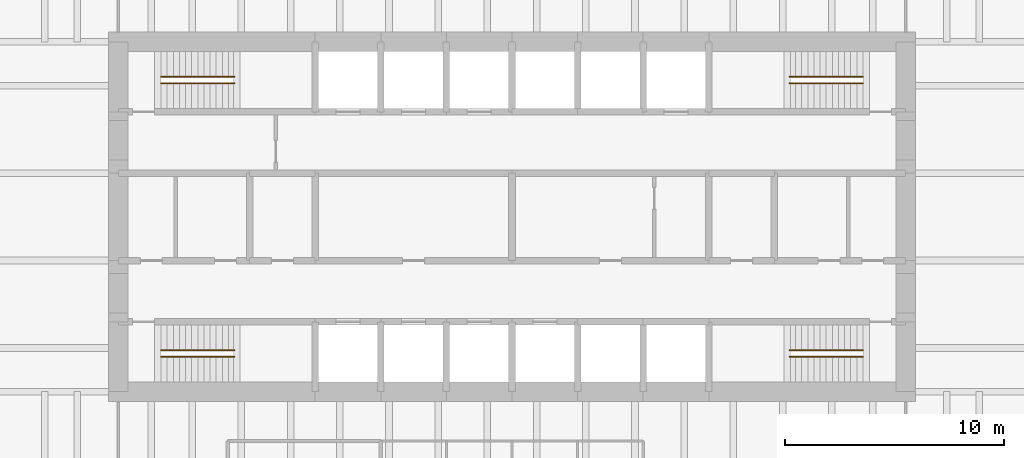
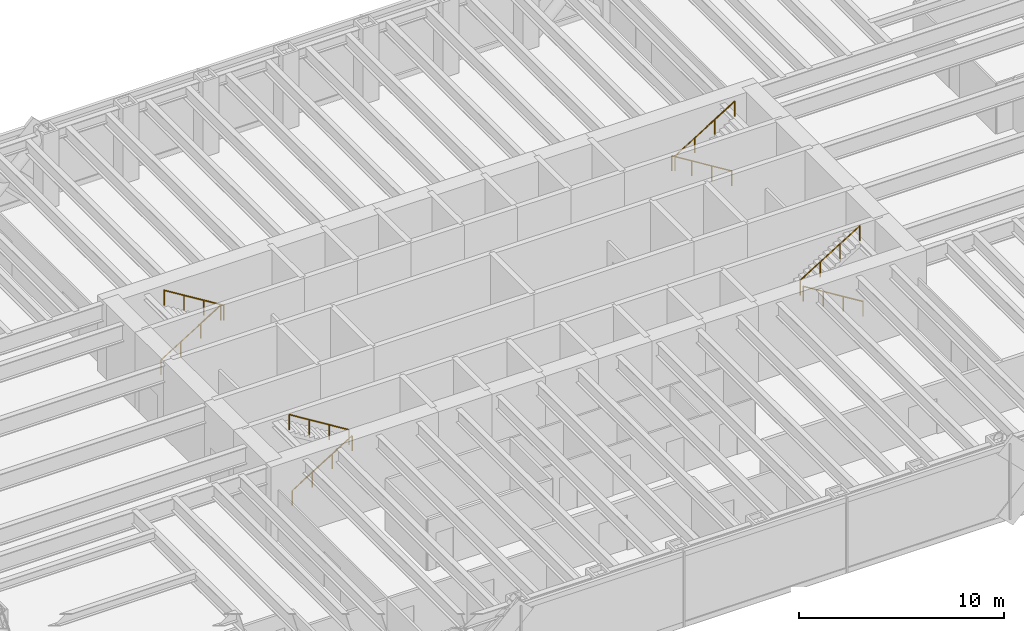
# One storey, part 13 of 13: 8 railings.
"""IFC4 building model written with IfcOpenShell, lengths in metres."""

from ifc_helpers import new_model, si_unit, direction, frame, origin, origin_2d, place, context, subcontext, project, spatial, circle, extrude, material, type_object, element, save


model = new_model("IFC4")

# Units and contexts
model_context = context("Model", 3, precision=1e-05, world=origin(), true_north=direction((0.0, 1.0)))
body_context = subcontext(model_context, "Body", "Model", "MODEL_VIEW")
ifc_project = project(units=[si_unit("LENGTHUNIT", "METRE"), si_unit("AREAUNIT", "SQUARE_METRE"), si_unit("VOLUMEUNIT", "CUBIC_METRE"), si_unit("PLANEANGLEUNIT", "RADIAN"), si_unit("MASSUNIT", "GRAM", prefix="KILO")], contexts=[model_context])

# Site, building, storey
site_placement = place(None, origin())
site = spatial("IfcSite", under=ifc_project, at=site_placement, CompositionType="ELEMENT")
building_placement = place(site_placement, origin())
building = spatial("IfcBuilding", under=site, at=building_placement, Name="Rheinbord Bourse Tower", CompositionType="ELEMENT")
storey_placement = place(building_placement, frame((0.0, 0.0, 45.5)))
storey = spatial("IfcBuildingStorey", under=building, at=storey_placement, Name="L09", CompositionType="ELEMENT", Elevation=45.5)

# Railings
ifc_material = material(Name="Steel handrail", Category="steel")
railing_type = type_object("IfcRailingType", Name="HANDRAIL 900", PredefinedType="HANDRAIL", material=ifc_material)
railing_1_placement = place(storey_placement, frame((19.949951171875, 17.60009765625, 0.173095703125)))
element("IfcRailing", 1, at=railing_1_placement, inside=storey, type_object=railing_type, Name="Handrail", PredefinedType="HANDRAIL", context=body_context, shape_type="SweptSolid", body=[
    extrude(circle(Radius=0.02392578125, at=origin_2d()), frame((0.0, 0.0, 0.8759765625), z_axis=(0.850623216509, 0.0, 0.525775754039), x_axis=(0.0, 1.0, 0.0)), (0.0, 0.0, 1.0), 3.9501953125),
    extrude(circle(Radius=0.02099609375, at=origin_2d()), origin(), (0.0, 0.0, 1.0), 0.851806640625),
    extrude(circle(Radius=0.02099609375, at=origin_2d()), frame((1.1201171875, 0.0, 0.6923828125)), (0.0, 0.0, 1.0), 0.851806640625),
    extrude(circle(Radius=0.02099609375, at=origin_2d()), frame((2.239990234375, 0.0, 1.384521484375)), (0.0, 0.0, 1.0), 0.851806640625),
    extrude(circle(Radius=0.02099609375, at=origin_2d()), frame((3.360107421875, 0.0, 2.076904296875)), (0.0, 0.0, 1.0), 0.851806640625),
])
railing_2_placement = place(storey_placement, frame((23.31005859375, 17.89990234375, 2.423095703125)))
element("IfcRailing", 2, at=railing_2_placement, inside=storey, type_object=railing_type, Name="Handrail", PredefinedType="HANDRAIL", context=body_context, shape_type="SweptSolid", body=[
    extrude(circle(Radius=0.02392578125, at=origin_2d()), frame((0.0, 0.0, 0.8759765625), z_axis=(-0.850623216509, 0.0, 0.525775754039), x_axis=(0.0, -1.0, 0.0)), (0.0, 0.0, 1.0), 3.9501953125),
    extrude(circle(Radius=0.02099609375, at=origin_2d()), origin(), (0.0, 0.0, 1.0), 0.851806640625),
    extrude(circle(Radius=0.02099609375, at=origin_2d()), frame((-1.1201171875, 0.0, 0.6923828125)), (0.0, 0.0, 1.0), 0.851806640625),
    extrude(circle(Radius=0.02099609375, at=origin_2d()), frame((-2.239990234375, 0.0, 1.384521484375)), (0.0, 0.0, 1.0), 0.851806640625),
    extrude(circle(Radius=0.02099609375, at=origin_2d()), frame((-3.360107421875, 0.0, 2.076904296875)), (0.0, 0.0, 1.0), 0.851806640625),
])
railing_3_placement = place(storey_placement, frame((19.949951171875, 30.39990234375, 0.173095703125)))
element("IfcRailing", 3, at=railing_3_placement, inside=storey, type_object=railing_type, Name="Handrail", PredefinedType="HANDRAIL", context=body_context, shape_type="SweptSolid", body=[
    extrude(circle(Radius=0.02392578125, at=origin_2d()), frame((0.0, 0.0, 0.8759765625), z_axis=(0.850623216509, 0.0, 0.525775754039), x_axis=(0.0, 1.0, 0.0)), (0.0, 0.0, 1.0), 3.9501953125),
    extrude(circle(Radius=0.02099609375, at=origin_2d()), origin(), (0.0, 0.0, 1.0), 0.851806640625),
    extrude(circle(Radius=0.02099609375, at=origin_2d()), frame((1.1201171875, 0.0, 0.6923828125)), (0.0, 0.0, 1.0), 0.851806640625),
    extrude(circle(Radius=0.02099609375, at=origin_2d()), frame((2.239990234375, 0.0, 1.384521484375)), (0.0, 0.0, 1.0), 0.851806640625),
    extrude(circle(Radius=0.02099609375, at=origin_2d()), frame((3.360107421875, 0.0, 2.076904296875)), (0.0, 0.0, 1.0), 0.851806640625),
])
for number, where, name in (
    (4, (23.31005859375, 30.10009765625, 2.423095703125), "Handrail"),
    (5, (52.050048828125, 17.60009765625, 0.173095703125), "Handrail"),
):
    element("IfcRailing", number, at=place(storey_placement, frame(where)), inside=storey, type_object=railing_type, Name=name, PredefinedType="HANDRAIL", context=body_context, shape_type="SweptSolid", body=[
        extrude(circle(Radius=0.02392578125, at=origin_2d()), frame((0.0, 0.0, 0.8759765625), z_axis=(-0.850623216509, 0.0, 0.525775754039), x_axis=(0.0, -1.0, 0.0)), (0.0, 0.0, 1.0), 3.9501953125),
        extrude(circle(Radius=0.02099609375, at=origin_2d()), origin(), (0.0, 0.0, 1.0), 0.851806640625),
        extrude(circle(Radius=0.02099609375, at=origin_2d()), frame((-1.1201171875, 0.0, 0.6923828125)), (0.0, 0.0, 1.0), 0.851806640625),
        extrude(circle(Radius=0.02099609375, at=origin_2d()), frame((-2.239990234375, 0.0, 1.384521484375)), (0.0, 0.0, 1.0), 0.851806640625),
        extrude(circle(Radius=0.02099609375, at=origin_2d()), frame((-3.360107421875, 0.0, 2.076904296875)), (0.0, 0.0, 1.0), 0.851806640625),
    ])
railing_4_placement = place(storey_placement, frame((48.68994140625, 17.89990234375, 2.423095703125)))
element("IfcRailing", 6, at=railing_4_placement, inside=storey, type_object=railing_type, Name="Handrail", PredefinedType="HANDRAIL", context=body_context, shape_type="SweptSolid", body=[
    extrude(circle(Radius=0.02392578125, at=origin_2d()), frame((0.0, 0.0, 0.8759765625), z_axis=(0.850623216509, 0.0, 0.525775754039), x_axis=(0.0, 1.0, 0.0)), (0.0, 0.0, 1.0), 3.9501953125),
    extrude(circle(Radius=0.02099609375, at=origin_2d()), origin(), (0.0, 0.0, 1.0), 0.851806640625),
    extrude(circle(Radius=0.02099609375, at=origin_2d()), frame((1.1201171875, 0.0, 0.6923828125)), (0.0, 0.0, 1.0), 0.851806640625),
    extrude(circle(Radius=0.02099609375, at=origin_2d()), frame((2.239990234375, 0.0, 1.384521484375)), (0.0, 0.0, 1.0), 0.851806640625),
    extrude(circle(Radius=0.02099609375, at=origin_2d()), frame((3.360107421875, 0.0, 2.076904296875)), (0.0, 0.0, 1.0), 0.851806640625),
])
railing_5_placement = place(storey_placement, frame((52.050048828125, 30.39990234375, 0.173095703125)))
element("IfcRailing", 7, at=railing_5_placement, inside=storey, type_object=railing_type, Name="Handrail", PredefinedType="HANDRAIL", context=body_context, shape_type="SweptSolid", body=[
    extrude(circle(Radius=0.02392578125, at=origin_2d()), frame((0.0, 0.0, 0.8759765625), z_axis=(-0.850623216509, 0.0, 0.525775754039), x_axis=(0.0, -1.0, 0.0)), (0.0, 0.0, 1.0), 3.9501953125),
    extrude(circle(Radius=0.02099609375, at=origin_2d()), origin(), (0.0, 0.0, 1.0), 0.851806640625),
    extrude(circle(Radius=0.02099609375, at=origin_2d()), frame((-1.1201171875, 0.0, 0.6923828125)), (0.0, 0.0, 1.0), 0.851806640625),
    extrude(circle(Radius=0.02099609375, at=origin_2d()), frame((-2.239990234375, 0.0, 1.384521484375)), (0.0, 0.0, 1.0), 0.851806640625),
    extrude(circle(Radius=0.02099609375, at=origin_2d()), frame((-3.360107421875, 0.0, 2.076904296875)), (0.0, 0.0, 1.0), 0.851806640625),
])
railing_6_placement = place(storey_placement, frame((48.68994140625, 30.10009765625, 2.423095703125)))
element("IfcRailing", 8, at=railing_6_placement, inside=storey, type_object=railing_type, Name="Handrail", PredefinedType="HANDRAIL", context=body_context, shape_type="SweptSolid", body=[
    extrude(circle(Radius=0.02392578125, at=origin_2d()), frame((0.0, 0.0, 0.8759765625), z_axis=(0.850623216509, 0.0, 0.525775754039), x_axis=(0.0, 1.0, 0.0)), (0.0, 0.0, 1.0), 3.9501953125),
    extrude(circle(Radius=0.02099609375, at=origin_2d()), origin(), (0.0, 0.0, 1.0), 0.851806640625),
    extrude(circle(Radius=0.02099609375, at=origin_2d()), frame((1.1201171875, 0.0, 0.6923828125)), (0.0, 0.0, 1.0), 0.851806640625),
    extrude(circle(Radius=0.02099609375, at=origin_2d()), frame((2.239990234375, 0.0, 1.384521484375)), (0.0, 0.0, 1.0), 0.851806640625),
    extrude(circle(Radius=0.02099609375, at=origin_2d()), frame((3.360107421875, 0.0, 2.076904296875)), (0.0, 0.0, 1.0), 0.851806640625),
])

save(model, "model.ifc")
